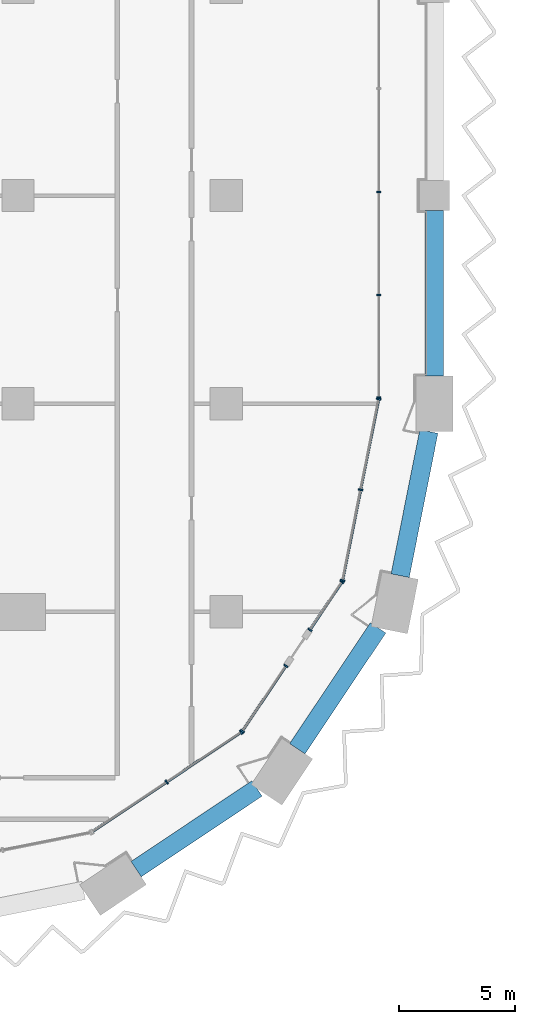
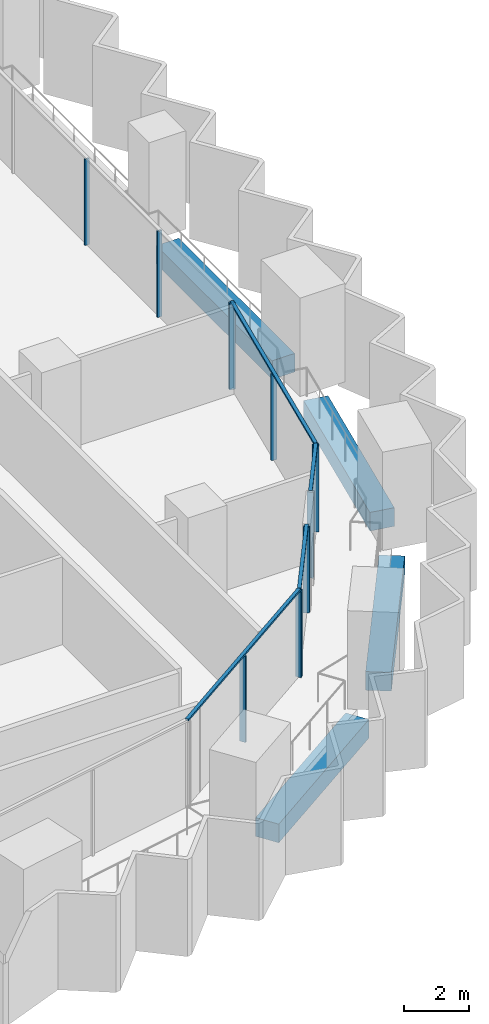
# One storey, part 3 of 29: 16 members, 4 beams, 5 elements without a shape of their own.
"""IFC4 building model written with IfcOpenShell, lengths in metres."""

from ifc_helpers import new_model, si_unit, direction, frame, origin, origin_2d, place, context, subcontext, project, spatial, rectangle, extrude, material, material_profile, profile_set, type_object, element, aggregate, save


model = new_model("IFC4")

# Units and contexts
model_context = context("Model", 3, precision=1e-05, world=origin(), true_north=direction((0.0, 1.0)))
body_context = subcontext(model_context, "Body", "Model", "MODEL_VIEW")
ifc_project = project(units=[si_unit("LENGTHUNIT", "METRE"), si_unit("AREAUNIT", "SQUARE_METRE"), si_unit("VOLUMEUNIT", "CUBIC_METRE"), si_unit("PLANEANGLEUNIT", "RADIAN"), si_unit("MASSUNIT", "GRAM", prefix="KILO")], contexts=[model_context])

# Site, building, storey
site_placement = place(None, origin())
site = spatial("IfcSite", under=ifc_project, at=site_placement, CompositionType="ELEMENT")
building_placement = place(site_placement, origin())
building = spatial("IfcBuilding", under=site, at=building_placement, Name="Hunhe Ridgeline Campus", CompositionType="ELEMENT")
storey_placement = place(building_placement, frame((0.0, 0.0, 46.89990234375)))
storey = spatial("IfcBuildingStorey", under=building, at=storey_placement, Name="L10", CompositionType="ELEMENT", Elevation=46.89990234375)

# Curtain wall, members
ifc_material_1 = material(Name="Aluminium 6063", Category="aluminium")
curtain_wall_type_1 = type_object("IfcCurtainWallType", Name="Curtain wall CW-1", PredefinedType="NOTDEFINED", material=ifc_material_1)
curtain_wall_1_placement = place(storey_placement, origin())
curtain_wall_1 = element("IfcCurtainWall", 1, at=curtain_wall_1_placement, inside=storey, type_object=curtain_wall_type_1, Name="Curtain wall 11", PredefinedType="NOTDEFINED")
ifc_material_profile_1 = material_profile(ifc_material_1, rectangle(XDim=0.159912109375, YDim=0.06005859375, at=origin_2d()))
ifc_profile_set_1 = profile_set([ifc_material_profile_1], Name="Aluminium 6063")
member_type_1 = type_object("IfcMemberType", Name="CW-1 aluminium mullion", PredefinedType="MULLION", material=ifc_profile_set_1)
member_1_placement = place(storey_placement, frame((42.59912109375, 27.266357421875, 0.0), z_axis=(0.0, 0.0, 1.0), x_axis=(-1.0, 1.8682e-07, 0.0)))
member_1 = element("IfcMember", 2, at=member_1_placement, type_object=member_type_1, Name="CW-1 mullion 1", PredefinedType="MULLION", context=body_context, shape_type="SweptSolid", body=[
    extrude(rectangle(XDim=0.159912109375, YDim=0.06005859375, at=origin_2d()), origin(), (0.0, 0.0, 1.0), 3.239990234375),
])
member_2_placement = place(storey_placement, frame((42.59912109375, 31.697021484375, 0.0), z_axis=(0.0, 0.0, 1.0), x_axis=(-1.0, 1.8682e-07, 0.0)))
member_2 = element("IfcMember", 3, at=member_2_placement, type_object=member_type_1, Name="CW-1 mullion 2", PredefinedType="MULLION", context=body_context, shape_type="SweptSolid", body=[
    extrude(rectangle(XDim=0.159912109375, YDim=0.06005859375, at=origin_2d()), origin(), (0.0, 0.0, 1.0), 3.239990234375),
])
member_3_placement = place(storey_placement, frame((42.59912109375, 36.15771484375, 0.0), z_axis=(0.0, 0.0, 1.0), x_axis=(-1.0, 1.8682e-07, 0.0)))
member_3 = element("IfcMember", 4, at=member_3_placement, type_object=member_type_1, Name="CW-1 mullion 3", PredefinedType="MULLION", context=body_context, shape_type="SweptSolid", body=[
    extrude(rectangle(XDim=0.159912109375, YDim=0.06005859375, at=origin_2d()), origin(), (0.0, 0.0, 1.0), 3.239990234375),
])
aggregate(curtain_wall_1, [member_1, member_2, member_3])

curtain_wall_type_2 = type_object("IfcCurtainWallType", Name="Curtain wall CW-5", PredefinedType="NOTDEFINED", material=ifc_material_1)
curtain_wall_2_placement = place(storey_placement, origin())
curtain_wall_2 = element("IfcCurtainWall", 5, at=curtain_wall_2_placement, inside=storey, type_object=curtain_wall_type_2, Name="Curtain wall 07", PredefinedType="NOTDEFINED")
ifc_material_profile_2 = material_profile(ifc_material_1, rectangle(XDim=0.199951171875, YDim=0.070068359375, at=origin_2d()))
ifc_profile_set_2 = profile_set([ifc_material_profile_2], Name="Aluminium 6063")
member_type_2 = type_object("IfcMemberType", Name="CW-5 aluminium mullion", PredefinedType="MULLION", material=ifc_profile_set_2)
member_4_placement = place(storey_placement, frame((33.42626953125, 10.647705078125, 0.0), z_axis=(0.0, 0.0, 1.0), x_axis=(-0.555570274596, 0.831469584522, 0.0)))
member_4 = element("IfcMember", 6, at=member_4_placement, type_object=member_type_2, Name="CW-5 mullion 2", PredefinedType="MULLION", context=body_context, shape_type="SweptSolid", body=[
    extrude(rectangle(XDim=0.199951171875, YDim=0.070068359375, at=origin_2d()), origin(), (0.0, 0.0, 1.0), 3.22998046875),
])
member_5_placement = place(storey_placement, frame((36.649658203125, 12.8017578125, 0.0), z_axis=(0.0, 0.0, 1.0), x_axis=(-0.555570274596, 0.831469584522, 0.0)))
member_5 = element("IfcMember", 7, at=member_5_placement, type_object=member_type_2, Name="CW-5 mullion 3", PredefinedType="MULLION", context=body_context, shape_type="SweptSolid", body=[
    extrude(rectangle(XDim=0.199951171875, YDim=0.070068359375, at=origin_2d()), origin(), (0.0, 0.0, 1.0), 3.22998046875),
])

curtain_wall_3_placement = place(storey_placement, origin())
curtain_wall_3 = element("IfcCurtainWall", 8, at=curtain_wall_3_placement, inside=storey, type_object=curtain_wall_type_2, Name="Curtain wall 08", PredefinedType="NOTDEFINED")
member_6_placement = place(storey_placement, frame((36.6982421875, 12.850341796875, 0.0), z_axis=(0.0, 0.0, 1.0), x_axis=(-0.831469595944, 0.555570257501, 0.0)))
member_6 = element("IfcMember", 9, at=member_6_placement, type_object=member_type_2, Name="CW-5 mullion 1", PredefinedType="MULLION", context=body_context, shape_type="SweptSolid", body=[
    extrude(rectangle(XDim=0.199951171875, YDim=0.070068359375, at=origin_2d()), origin(), (0.0, 0.0, 1.0), 3.22998046875),
])
member_7_placement = place(storey_placement, frame((38.582763671875, 15.67041015625, 0.0), z_axis=(0.0, 0.0, 1.0), x_axis=(-0.831469595944, 0.555570257501, 0.0)))
member_7 = element("IfcMember", 10, at=member_7_placement, type_object=member_type_2, Name="CW-5 mullion 2", PredefinedType="MULLION", context=body_context, shape_type="SweptSolid", body=[
    extrude(rectangle(XDim=0.199951171875, YDim=0.070068359375, at=origin_2d()), origin(), (0.0, 0.0, 1.0), 3.22998046875),
])

curtain_wall_4_placement = place(storey_placement, origin())
curtain_wall_4 = element("IfcCurtainWall", 11, at=curtain_wall_4_placement, inside=storey, type_object=curtain_wall_type_2, Name="Curtain wall 09", PredefinedType="NOTDEFINED")
member_8_placement = place(storey_placement, frame((39.62158203125, 17.225341796875, 0.0), z_axis=(0.0, 0.0, 1.0), x_axis=(-0.831469510353, 0.555570385598, 0.0)))
member_8 = element("IfcMember", 12, at=member_8_placement, type_object=member_type_2, Name="CW-5 mullion 1", PredefinedType="MULLION", context=body_context, shape_type="SweptSolid", body=[
    extrude(rectangle(XDim=0.199951171875, YDim=0.070068359375, at=origin_2d()), origin(), (0.0, 0.0, 1.0), 3.22998046875),
])
member_9_placement = place(storey_placement, frame((41.006103515625, 19.29736328125, 0.0), z_axis=(0.0, 0.0, 1.0), x_axis=(-0.831469510353, 0.555570385598, 0.0)))
member_9 = element("IfcMember", 13, at=member_9_placement, type_object=member_type_2, Name="CW-5 mullion 2", PredefinedType="MULLION", context=body_context, shape_type="SweptSolid", body=[
    extrude(rectangle(XDim=0.199951171875, YDim=0.070068359375, at=origin_2d()), origin(), (0.0, 0.0, 1.0), 3.22998046875),
])

curtain_wall_5_placement = place(storey_placement, origin())
curtain_wall_5 = element("IfcCurtainWall", 14, at=curtain_wall_5_placement, inside=storey, type_object=curtain_wall_type_2, Name="Curtain wall 10", PredefinedType="NOTDEFINED")
member_10_placement = place(storey_placement, frame((41.032470703125, 19.36083984375, 0.0), z_axis=(0.0, 0.0, 1.0), x_axis=(-0.980785284939, 0.195090299215, 0.0)))
member_10 = element("IfcMember", 15, at=member_10_placement, type_object=member_type_2, Name="CW-5 mullion 1", PredefinedType="MULLION", context=body_context, shape_type="SweptSolid", body=[
    extrude(rectangle(XDim=0.199951171875, YDim=0.070068359375, at=origin_2d()), origin(), (0.0, 0.0, 1.0), 3.22998046875),
])
member_11_placement = place(storey_placement, frame((41.812255859375, 23.281494140625, 0.0), z_axis=(0.0, 0.0, 1.0), x_axis=(-0.980785284939, 0.195090299215, 0.0)))
member_11 = element("IfcMember", 16, at=member_11_placement, type_object=member_type_2, Name="CW-5 mullion 2", PredefinedType="MULLION", context=body_context, shape_type="SweptSolid", body=[
    extrude(rectangle(XDim=0.199951171875, YDim=0.070068359375, at=origin_2d()), origin(), (0.0, 0.0, 1.0), 3.22998046875),
])
member_12_placement = place(storey_placement, frame((42.59228515625, 27.2021484375, 0.0), z_axis=(0.0, 0.0, 1.0), x_axis=(-0.980785284939, 0.195090299215, 0.0)))
member_12 = element("IfcMember", 17, at=member_12_placement, type_object=member_type_2, Name="CW-5 mullion 3", PredefinedType="MULLION", context=body_context, shape_type="SweptSolid", body=[
    extrude(rectangle(XDim=0.199951171875, YDim=0.070068359375, at=origin_2d()), origin(), (0.0, 0.0, 1.0), 3.22998046875),
])

# Member
ifc_material_profile_3 = material_profile(ifc_material_1, rectangle(XDim=0.1201171875, YDim=0.070068359375, at=origin_2d()))
ifc_profile_set_3 = profile_set([ifc_material_profile_3], Name="Aluminium 6063")
member_type_3 = type_object("IfcMemberType", Name="CW-5 aluminium transom", PredefinedType="USERDEFINED", material=ifc_profile_set_3)
member_13_placement = place(storey_placement, frame((30.173583984375, 8.474365234375, 3.26513671875), z_axis=(0.831473763475, 0.5555640203, 0.0), x_axis=(-0.5555640203, 0.831473763475, 0.0)))
member_13 = element("IfcMember", 18, at=member_13_placement, type_object=member_type_3, Name="CW-5 transom 1", ObjectType="TRANSOM", PredefinedType="USERDEFINED", context=body_context, shape_type="SweptSolid", body=[
    extrude(rectangle(XDim=0.1201171875, YDim=0.070068359375, at=origin_2d()), origin(), (0.0, 0.0, 1.0), 7.823974609375),
])

aggregate(curtain_wall_2, [member_13, member_4, member_5])

member_14_placement = place(storey_placement, frame((36.678955078125, 12.821044921875, 3.26513671875), z_axis=(0.555546133463, 0.831485714606, 0.0), x_axis=(-0.831485714606, 0.555546133463, 0.0)))
member_14 = element("IfcMember", 19, at=member_14_placement, type_object=member_type_3, Name="CW-5 transom 1", ObjectType="TRANSOM", PredefinedType="USERDEFINED", context=body_context, shape_type="SweptSolid", body=[
    extrude(rectangle(XDim=0.1201171875, YDim=0.070068359375, at=origin_2d()), origin(), (0.0, 0.0, 1.0), 3.462158203125),
])

aggregate(curtain_wall_3, [member_14, member_6, member_7])

member_15_placement = place(storey_placement, frame((39.602294921875, 17.1962890625, 3.26513671875), z_axis=(0.555579547735, 0.831463388334, 0.0), x_axis=(-0.831463388334, 0.555579547735, 0.0)))
member_15 = element("IfcMember", 20, at=member_15_placement, type_object=member_type_3, Name="CW-5 transom 1", ObjectType="TRANSOM", PredefinedType="USERDEFINED", context=body_context, shape_type="SweptSolid", body=[
    extrude(rectangle(XDim=0.1201171875, YDim=0.070068359375, at=origin_2d()), origin(), (0.0, 0.0, 1.0), 2.56201171875),
])

aggregate(curtain_wall_4, [member_15, member_8, member_9])

member_16_placement = place(storey_placement, frame((41.025634765625, 19.326416015625, 3.26513671875), z_axis=(0.195097290093, 0.980783894341, 0.0), x_axis=(-0.980783894341, 0.195097290093, 0.0)))
member_16 = element("IfcMember", 21, at=member_16_placement, type_object=member_type_3, Name="CW-5 transom 1", ObjectType="TRANSOM", PredefinedType="USERDEFINED", context=body_context, shape_type="SweptSolid", body=[
    extrude(rectangle(XDim=0.1201171875, YDim=0.070068359375, at=origin_2d()), origin(), (0.0, 0.0, 1.0), 8.065185546875),
])

aggregate(curtain_wall_5, [member_16, member_10, member_11, member_12])

# Beams
ifc_material_2 = material(Name="Concrete C60", Category="concrete")
ifc_material_profile_4 = material_profile(ifc_material_2, rectangle(XDim=0.800048828125, YDim=0.699951171875, at=origin_2d()))
ifc_profile_set_4 = profile_set([ifc_material_profile_4], Name="Concrete C60")
beam_type = type_object("IfcBeamType", Name="RC spandrel beam 800x700 Concrete C60", PredefinedType="SPANDREL", material=ifc_profile_set_4)
for number, where, z_axis, x_axis, name in (
    (22, (32.108154296875, 6.87939453125, -0.599853515625), (0.831469696846, 0.555570106491, 0.0), (-0.555570106491, 0.831469696846, 0.0), "Spandrel beam B1-6 L10"),
    (23, (39.07666015625, 12.087890625, -0.599853515625), (0.555570106491, 0.831469696846, 0.0), (-0.831469696846, 0.555570106491, 0.0), "Spandrel beam B1-7 L10"),
):
    element("IfcBeam", number, at=place(storey_placement, frame(where, z_axis=z_axis, x_axis=x_axis)), inside=storey, type_object=beam_type, Name=name, PredefinedType="SPANDREL", context=body_context, shape_type="SweptSolid", body=[
        extrude(rectangle(XDim=0.800048828125, YDim=0.699951171875, at=origin_2d()), origin(), (0.0, 0.0, 1.0), 6.280029296875),
    ])
beam_1_placement = place(storey_placement, frame((43.521484375, 19.566650390625, -0.599853515625), z_axis=(0.195067021304, 0.980789914915, 0.0), x_axis=(-0.980789914915, 0.195067021304, 0.0)))
element("IfcBeam", 24, at=beam_1_placement, inside=storey, type_object=beam_type, Name="Spandrel beam B1-8 L10", PredefinedType="SPANDREL", context=body_context, shape_type="SweptSolid", body=[
    extrude(rectangle(XDim=0.800048828125, YDim=0.699951171875, at=origin_2d()), origin(), (0.0, 0.0, 1.0), 6.35546875),
])
beam_2_placement = place(storey_placement, frame((45.0, 28.199951171875, -0.599853515625), z_axis=(0.0, 1.0, 0.0), x_axis=(-1.0, 0.0, 0.0)))
element("IfcBeam", 25, at=beam_2_placement, inside=storey, type_object=beam_type, Name="Spandrel beam B1-9 L10", PredefinedType="SPANDREL", context=body_context, shape_type="SweptSolid", body=[
    extrude(rectangle(XDim=0.800048828125, YDim=0.699951171875, at=origin_2d()), origin(), (0.0, 0.0, 1.0), 7.150146484375),
])

save(model, "model.ifc")
